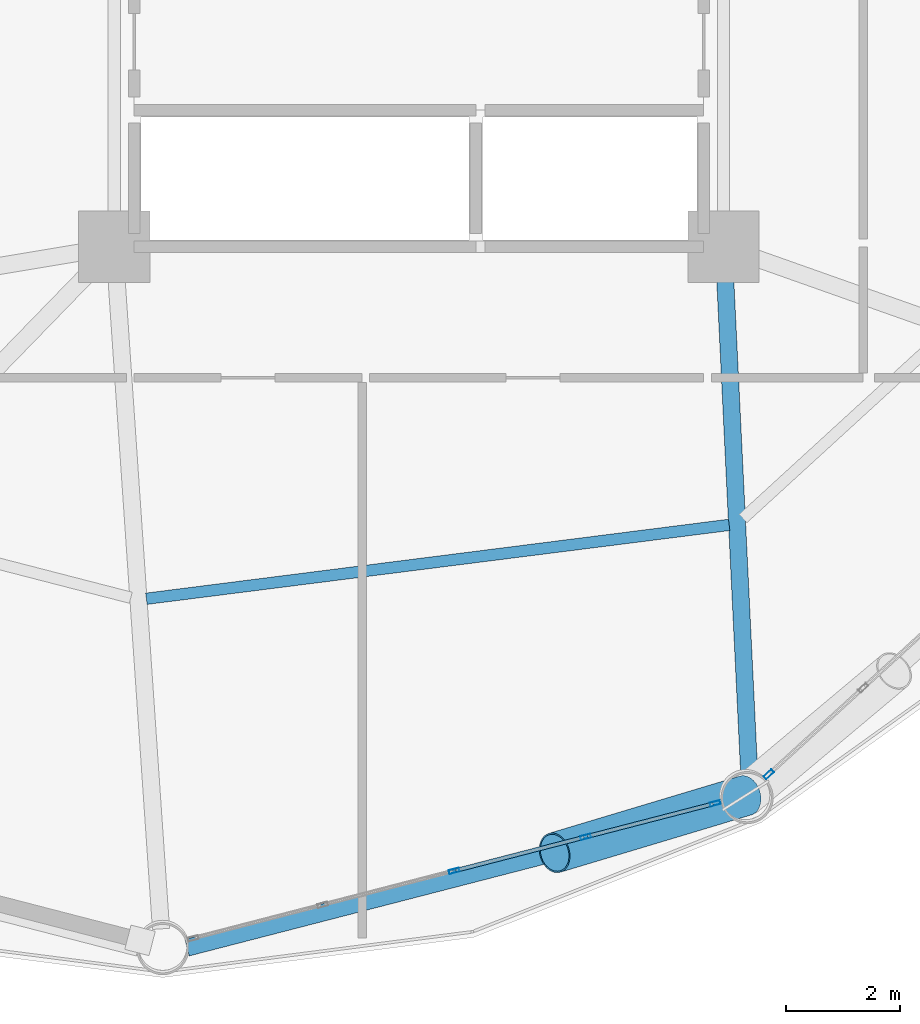
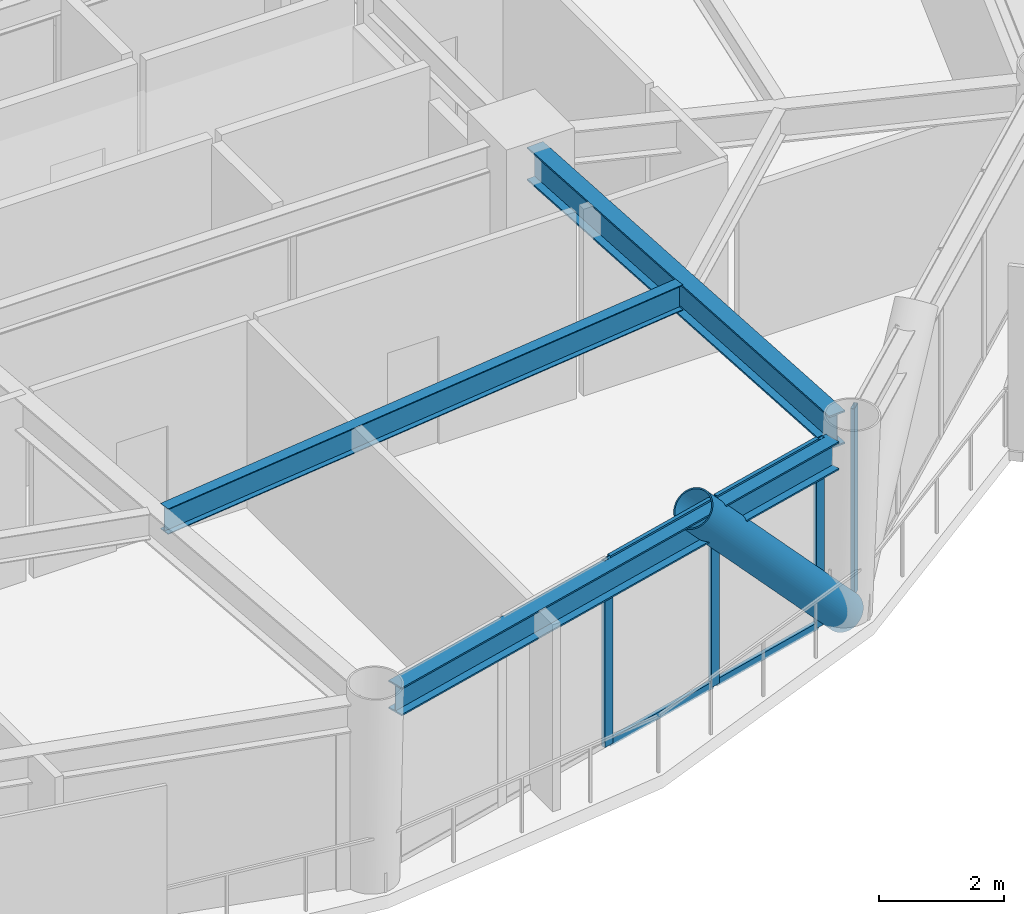
# One storey, part 8 of 25: 9 members, 3 beams, 2 elements without a shape of their own.
"""IFC4 building model written with IfcOpenShell, lengths in metres."""

from ifc_helpers import new_model, si_unit, direction, frame, origin, origin_2d, place, context, subcontext, project, spatial, hollow_rectangle, hollow_circle, i_section, extrude, material, layer, layer_set, material_profile, profile_set, type_object, element, aggregate, save


model = new_model("IFC4")

# Units and contexts
model_context = context("Model", 3, precision=1e-05, world=origin(), true_north=direction((0.0, 1.0)))
body_context = subcontext(model_context, "Body", "Model", "MODEL_VIEW")
ifc_project = project(units=[si_unit("LENGTHUNIT", "METRE"), si_unit("AREAUNIT", "SQUARE_METRE"), si_unit("VOLUMEUNIT", "CUBIC_METRE"), si_unit("PLANEANGLEUNIT", "RADIAN"), si_unit("MASSUNIT", "GRAM", prefix="KILO")], contexts=[model_context])

# Site, building, storey
site_placement = place(None, origin())
site = spatial("IfcSite", under=ifc_project, at=site_placement, CompositionType="ELEMENT")
building_placement = place(site_placement, origin())
building = spatial("IfcBuilding", under=site, at=building_placement, Name="Varnakorn Sky Granary", CompositionType="ELEMENT")
storey_placement = place(building_placement, frame((0.0, 0.0, 39.300048828125)))
storey = spatial("IfcBuildingStorey", under=building, at=storey_placement, Name="L09", CompositionType="ELEMENT", Elevation=39.300048828125)

# Beams
ifc_material_1 = material(Name="Steel S355JR", Category="steel")
ifc_material_profile_1 = material_profile(ifc_material_1, i_section(OverallWidth=0.300048828125, OverallDepth=0.64990234375, WebThickness=0.01611328125, FlangeThickness=0.031005859375, at=origin_2d()), Name="HE 650 B")
ifc_profile_set_1 = profile_set([ifc_material_profile_1], Name="Steel S355JR")
beam_type_1 = type_object("IfcBeamType", Name="BM-RAD-Z1", PredefinedType="BEAM", material=ifc_profile_set_1)
beam_1_placement = place(storey_placement, frame((8.370361328125, -7.01953125, 3.31494140625), z_axis=(0.048479688412, -0.998824168616, 0.0), x_axis=(0.998824168616, 0.048479688412, 0.0)))
element("IfcBeam", 1, at=beam_1_placement, inside=storey, type_object=beam_type_1, Name="Radial Floor Girder RG11 L09", PredefinedType="BEAM", context=body_context, shape_type="SweptSolid", body=[
    extrude(i_section(OverallWidth=0.300048828125, OverallDepth=0.64990234375, WebThickness=0.01611328125, FlangeThickness=0.031005859375, at=origin_2d()), origin(), (0.0, 0.0, 1.0), 8.903564453125),
])
ifc_material_profile_2 = material_profile(ifc_material_1, i_section(OverallWidth=0.199951171875, OverallDepth=0.5, WebThickness=0.01025390625, FlangeThickness=0.01611328125, at=origin_2d()), Name="IPE 500")
ifc_profile_set_2 = profile_set([ifc_material_profile_2], Name="Steel S355JR")
beam_type_2 = type_object("IfcBeamType", Name="BM-SEC-Z1", PredefinedType="BEAM", material=ifc_profile_set_2)
beam_2_placement = place(storey_placement, frame((-1.786865234375, -12.781005859375, 3.389892578125), z_axis=(0.992060839759, 0.125758857407, 0.0), x_axis=(-0.125758857407, 0.992060839759, 0.0)))
element("IfcBeam", 2, at=beam_2_placement, inside=storey, type_object=beam_type_2, Name="Secondary Floor Chord Beam MSB10 L09", PredefinedType="BEAM", context=body_context, shape_type="SweptSolid", body=[
    extrude(i_section(OverallWidth=0.199951171875, OverallDepth=0.5, WebThickness=0.01025390625, FlangeThickness=0.01611328125, at=origin_2d()), origin(), (0.0, 0.0, 1.0), 10.316162109375),
])
ifc_material_profile_3 = material_profile(ifc_material_1, i_section(OverallWidth=0.300048828125, OverallDepth=0.550048828125, WebThickness=0.014892578125, FlangeThickness=0.029052734375, at=origin_2d()), Name="HE 550 B")
ifc_profile_set_3 = profile_set([ifc_material_profile_3], Name="Steel S355JR")
beam_type_3 = type_object("IfcBeamType", Name="BM-SPD-Z1", PredefinedType="SPANDREL", material=ifc_profile_set_3)
beam_3_placement = place(storey_placement, frame((-1.072021484375, -18.908447265625, 3.364990234375), z_axis=(0.968262121446, 0.249936920387, 0.0), x_axis=(-0.249936920387, 0.968262121446, 0.0)))
element("IfcBeam", 3, at=beam_3_placement, inside=storey, type_object=beam_type_3, Name="Perimeter Spandrel Ring Beam RB10 L09", PredefinedType="SPANDREL", context=body_context, shape_type="SweptSolid", body=[
    extrude(i_section(OverallWidth=0.300048828125, OverallDepth=0.550048828125, WebThickness=0.014892578125, FlangeThickness=0.029052734375, at=origin_2d()), origin(), (0.0, 0.0, 1.0), 9.77783203125),
])

# Curtain wall, members
ifc_material_2 = material(Name="Anodised Bronze Aluminium Alloy 6063-T6", Category="aluminium")
ifc_layer = layer(ifc_material_2, 0.18994140625, Name="Anodised Bronze Aluminium Alloy 6063-T6")
ifc_layer_set = layer_set([ifc_layer], Name="Anodised Bronze Aluminium Alloy 6063-T6")
curtain_wall_type = type_object("IfcCurtainWallType", Name="CW-FRM-1", PredefinedType="USERDEFINED", material=ifc_layer_set)
curtain_wall_1_placement = place(storey_placement, origin())
curtain_wall_1 = element("IfcCurtainWall", 4, at=curtain_wall_1_placement, inside=storey, type_object=curtain_wall_type, Name="Unitised Curtain Wall CW3 CW-L09-B10", ObjectType="CURTAIN WALL", PredefinedType="USERDEFINED")
ifc_material_profile_4 = material_profile(ifc_material_2, hollow_rectangle(XDim=0.070068359375, YDim=0.18505859375, WallThickness=0.00390625, at=origin_2d()), Name="ALU MULL 70x185")
ifc_profile_set_4 = profile_set([ifc_material_profile_4], Name="Anodised Bronze Aluminium Alloy 6063-T6")
member_type_1 = type_object("IfcMemberType", Name="CW-FRM-1-MULL", PredefinedType="MULLION", material=ifc_profile_set_4)
member_1_placement = place(storey_placement, frame((8.201171875, -16.374267578125, 0.0), z_axis=(0.0, 0.0, 1.0), x_axis=(0.250359949128, -0.968152826713, 0.0)))
member_1 = element("IfcMember", 5, at=member_1_placement, type_object=member_type_1, Name="CW3 mullion 1", PredefinedType="MULLION", context=body_context, shape_type="SweptSolid", body=[
    extrude(hollow_rectangle(XDim=0.070068359375, YDim=0.18505859375, WallThickness=0.00390625, at=origin_2d()), origin(), (0.0, 0.0, 1.0), 3.639892578125),
])
member_2_placement = place(storey_placement, frame((5.92626953125, -16.962646484375, 0.0), z_axis=(0.0, 0.0, 1.0), x_axis=(0.250359949128, -0.968152826713, 0.0)))
member_2 = element("IfcMember", 6, at=member_2_placement, type_object=member_type_1, Name="CW3 mullion 2", PredefinedType="MULLION", context=body_context, shape_type="SweptSolid", body=[
    extrude(hollow_rectangle(XDim=0.070068359375, YDim=0.18505859375, WallThickness=0.00390625, at=origin_2d()), origin(), (0.0, 0.0, 1.0), 3.639892578125),
])
member_3_placement = place(storey_placement, frame((3.61767578125, -17.5595703125, 0.0), z_axis=(0.0, 0.0, 1.0), x_axis=(0.250359949128, -0.968152826713, 0.0)))
member_3 = element("IfcMember", 7, at=member_3_placement, type_object=member_type_1, Name="CW3 mullion 3", PredefinedType="MULLION", context=body_context, shape_type="SweptSolid", body=[
    extrude(hollow_rectangle(XDim=0.070068359375, YDim=0.18505859375, WallThickness=0.00390625, at=origin_2d()), origin(), (0.0, 0.0, 1.0), 3.639892578125),
])

# Curtain wall, member
curtain_wall_2_placement = place(storey_placement, origin())
curtain_wall_2 = element("IfcCurtainWall", 8, at=curtain_wall_2_placement, inside=storey, type_object=curtain_wall_type, Name="Unitised Curtain Wall CW3 CW-L09-B11", ObjectType="CURTAIN WALL", PredefinedType="USERDEFINED")
member_4_placement = place(storey_placement, frame((9.142578125, -15.86328125, 0.0), z_axis=(0.0, 0.0, 1.0), x_axis=(0.675388643465, -0.73746198565, 0.0)))
member_4 = element("IfcMember", 9, at=member_4_placement, type_object=member_type_1, Name="CW3 mullion 5", PredefinedType="MULLION", context=body_context, shape_type="SweptSolid", body=[
    extrude(hollow_rectangle(XDim=0.070068359375, YDim=0.18505859375, WallThickness=0.00390625, at=origin_2d()), origin(), (0.0, 0.0, 1.0), 3.639892578125),
])
aggregate(curtain_wall_2, [member_4])

# Member
ifc_material_profile_5 = material_profile(ifc_material_2, hollow_rectangle(XDim=0.070068359375, YDim=0.139892578125, WallThickness=0.00341796875, at=origin_2d()), Name="ALU TRAN 70x140")
ifc_profile_set_5 = profile_set([ifc_material_profile_5], Name="Anodised Bronze Aluminium Alloy 6063-T6")
member_type_2 = type_object("IfcMemberType", Name="CW-FRM-1-TRAN", PredefinedType="USERDEFINED", material=ifc_profile_set_5)
member_5_placement = place(storey_placement, frame((8.167236328125, -16.383056640625, 0.034912109375), z_axis=(-0.968145121188, -0.250389744838, 0.0), x_axis=(0.250389744838, -0.968145121188, 0.0)))
member_5 = element("IfcMember", 10, at=member_5_placement, type_object=member_type_2, Name="CW3 transom 1.1", ObjectType="TRANSOM", PredefinedType="USERDEFINED", context=body_context, shape_type="SweptSolid", body=[
    extrude(hollow_rectangle(XDim=0.070068359375, YDim=0.139892578125, WallThickness=0.00341796875, at=origin_2d()), origin(), (0.0, 0.0, 1.0), 2.279541015625),
])

member_6_placement = place(storey_placement, frame((8.167236328125, -16.383056640625, 3.60498046875), z_axis=(-0.968145121188, -0.250389744838, 0.0), x_axis=(0.250389744838, -0.968145121188, 0.0)))
member_6 = element("IfcMember", 11, at=member_6_placement, type_object=member_type_2, Name="CW3 transom 1.2", ObjectType="TRANSOM", PredefinedType="USERDEFINED", context=body_context, shape_type="SweptSolid", body=[
    extrude(hollow_rectangle(XDim=0.070068359375, YDim=0.139892578125, WallThickness=0.00341796875, at=origin_2d()), origin(), (0.0, 0.0, 1.0), 2.279541015625),
])

member_7_placement = place(storey_placement, frame((5.892578125, -16.971435546875, 0.034912109375), z_axis=(-0.968169390175, -0.250295888755, 0.0), x_axis=(0.250295888755, -0.968169390175, 0.0)))
member_7 = element("IfcMember", 12, at=member_7_placement, type_object=member_type_2, Name="CW3 transom 2.1", ObjectType="TRANSOM", PredefinedType="USERDEFINED", context=body_context, shape_type="SweptSolid", body=[
    extrude(hollow_rectangle(XDim=0.070068359375, YDim=0.139892578125, WallThickness=0.00341796875, at=origin_2d()), origin(), (0.0, 0.0, 1.0), 2.314697265625),
])

member_8_placement = place(storey_placement, frame((5.892578125, -16.971435546875, 3.60498046875), z_axis=(-0.968169390175, -0.250295888755, 0.0), x_axis=(0.250295888755, -0.968169390175, 0.0)))
member_8 = element("IfcMember", 13, at=member_8_placement, type_object=member_type_2, Name="CW3 transom 2.2", ObjectType="TRANSOM", PredefinedType="USERDEFINED", context=body_context, shape_type="SweptSolid", body=[
    extrude(hollow_rectangle(XDim=0.070068359375, YDim=0.139892578125, WallThickness=0.00341796875, at=origin_2d()), origin(), (0.0, 0.0, 1.0), 2.314697265625),
])

aggregate(curtain_wall_1, [member_1, member_2, member_3, member_5, member_6, member_7, member_8])

ifc_material_3 = material(Name="Steel S460M", Category="steel")
ifc_material_profile_6 = material_profile(ifc_material_3, hollow_circle(Radius=0.35546875, WallThickness=0.02490234375, at=origin_2d()), Name="CHS 711x25")
ifc_profile_set_6 = profile_set([ifc_material_profile_6], Name="Steel S460M")
member_type_3 = type_object("IfcMemberType", Name="MB-DIAG-T0", PredefinedType="BRACE", material=ifc_profile_set_6)
member_9_placement = place(storey_placement, frame((8.735595703125, -16.236083984375, 0.0), z_axis=(-0.649914104041, -0.194997890262, 0.734566185011), x_axis=(0.287379874154, -0.957816688063, 0.0)))
element("IfcMember", 14, at=member_9_placement, inside=storey, type_object=member_type_3, Name="Perimeter CHS Diagrid Brace DG10 L09", PredefinedType="BRACE", context=body_context, shape_type="SweptSolid", body=[
    extrude(hollow_circle(Radius=0.35546875, WallThickness=0.02490234375, at=origin_2d()), origin(), (0.0, 0.0, 1.0), 5.15966796875),
])

save(model, "model.ifc")
